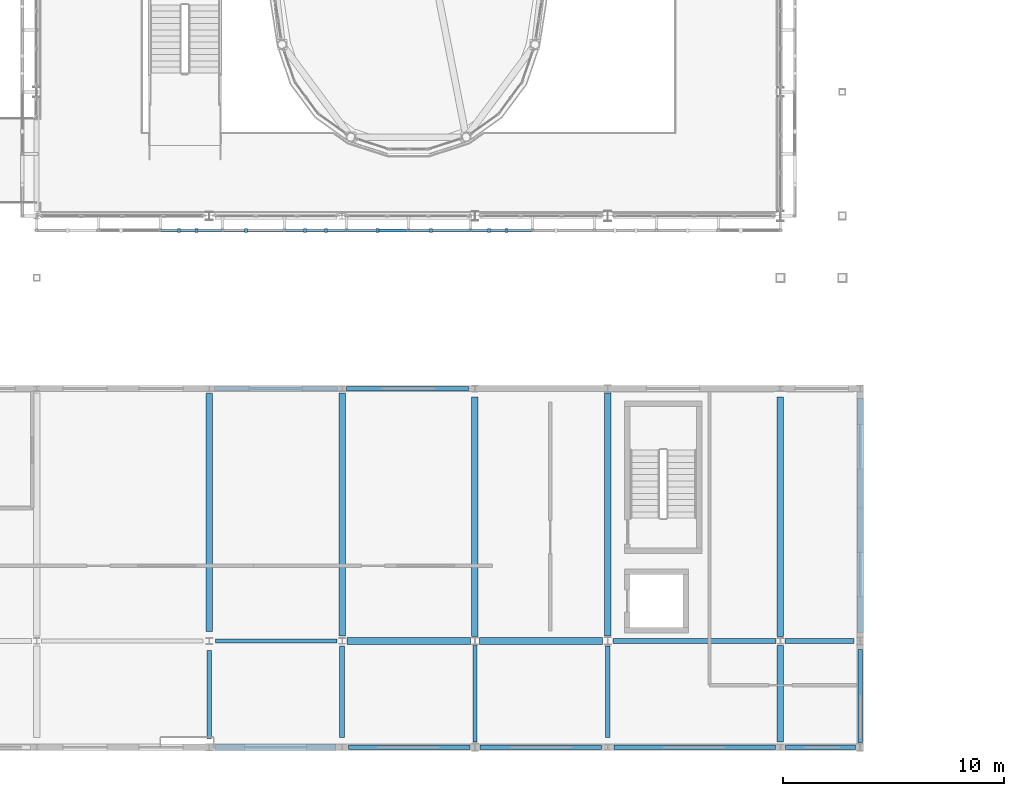
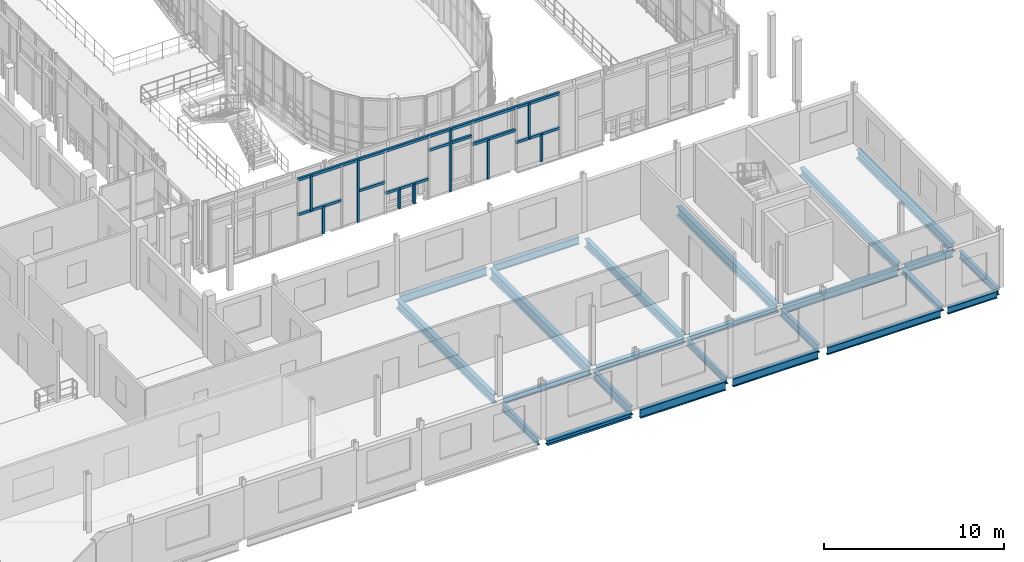
# One storey, part 31 of 121: 24 beams, 21 members.
"""IFC4 building model written with IfcOpenShell, lengths in metres."""

from ifc_helpers import new_model, si_unit, direction, frame, origin, origin_2d, place, context, subcontext, project, spatial, rectangle, i_section, extrude, material, material_profile, profile_set, type_object, element, save


model = new_model("IFC4")

# Units and contexts
model_context = context("Model", 3, precision=1e-05, world=origin(), true_north=direction((0.0, 1.0)))
body_context = subcontext(model_context, "Body", "Model", "MODEL_VIEW")
ifc_project = project(units=[si_unit("LENGTHUNIT", "METRE"), si_unit("AREAUNIT", "SQUARE_METRE"), si_unit("VOLUMEUNIT", "CUBIC_METRE"), si_unit("PLANEANGLEUNIT", "RADIAN"), si_unit("MASSUNIT", "GRAM", prefix="KILO")], contexts=[model_context])

# Site, building, storey
site_placement = place(None, origin())
site = spatial("IfcSite", under=ifc_project, at=site_placement, CompositionType="ELEMENT")
building_placement = place(site_placement, origin())
building = spatial("IfcBuilding", under=site, at=building_placement, Name="Vinh Khe Railworks Police Headquarters", CompositionType="ELEMENT")
storey_placement = place(building_placement, frame((0.0, 0.0, 4.800048828125)))
storey = spatial("IfcBuildingStorey", under=building, at=storey_placement, Name="L01", CompositionType="ELEMENT", Elevation=4.800048828125)

# Members
ifc_material_1 = material(Name="Salvaged ironwood timber", Category="wood")
ifc_material_profile_1 = material_profile(ifc_material_1, rectangle(XDim=0.139892578125, YDim=0.179931640625, at=origin_2d()), Name="TIMBER 140x180")
ifc_profile_set_1 = profile_set([ifc_material_profile_1], Name="Salvaged ironwood timber")
member_type = type_object("IfcMemberType", Name="MEM-QUILT-STILE", PredefinedType="CHORD", material=ifc_profile_set_1)
for number, where, z_axis, x_axis, name in (
    (1, (32.0, 24.550048828125, 4.119873046875), (1.0, 0.0, 0.0), (0.0, 1.0, 0.0), "Salvaged Timber Quilt Transom S-L01-02-TOP"),
    (2, (32.0, 24.550048828125, 1.763916015625), (1.0, 0.0, 0.0), (0.0, 1.0, 0.0), "Salvaged Timber Quilt Transom S-L01-02-M1"),
):
    element("IfcMember", number, at=place(storey_placement, frame(where, z_axis=z_axis, x_axis=x_axis)), inside=storey, type_object=member_type, Name=name, PredefinedType="CHORD", context=body_context, shape_type="SweptSolid", body=[
        extrude(rectangle(XDim=0.139892578125, YDim=0.179931640625, at=origin_2d()), origin(), (0.0, 0.0, 1.0), 2.800048828125),
    ])
member_1_placement = place(storey_placement, frame((33.6240234375, 24.550048828125, -0.080078125), z_axis=(0.0, 0.0, 1.0), x_axis=(1.0, 0.0, 0.0)))
element("IfcMember", 3, at=member_1_placement, inside=storey, type_object=member_type, Name="Salvaged Timber Quilt Stile S-L01-02-V1", PredefinedType="POST", context=body_context, shape_type="SweptSolid", body=[
    extrude(rectangle(XDim=0.139892578125, YDim=0.179931640625, at=origin_2d()), origin(), (0.0, 0.0, 1.0), 1.843994140625),
])
member_2_placement = place(storey_placement, frame((32.840087890625, 24.550048828125, 1.763916015625), z_axis=(0.0, 0.0, 1.0), x_axis=(1.0, 0.0, 0.0)))
element("IfcMember", 4, at=member_2_placement, inside=storey, type_object=member_type, Name="Salvaged Timber Quilt Stile S-L01-02-V2", PredefinedType="POST", context=body_context, shape_type="SweptSolid", body=[
    extrude(rectangle(XDim=0.139892578125, YDim=0.179931640625, at=origin_2d()), origin(), (0.0, 0.0, 1.0), 2.35595703125),
])
member_3_placement = place(storey_placement, frame((34.800048828125, 24.550048828125, 4.119873046875), z_axis=(1.0, 0.0, 0.0), x_axis=(0.0, 1.0, 0.0)))
element("IfcMember", 5, at=member_3_placement, inside=storey, type_object=member_type, Name="Salvaged Timber Quilt Transom S-L01-03-TOP", PredefinedType="CHORD", context=body_context, shape_type="SweptSolid", body=[
    extrude(rectangle(XDim=0.139892578125, YDim=0.179931640625, at=origin_2d()), origin(), (0.0, 0.0, 1.0), 2.800048828125),
])
member_4_placement = place(storey_placement, frame((35.864013671875, 24.550048828125, -0.080078125), z_axis=(0.0, 0.0, 1.0), x_axis=(1.0, 0.0, 0.0)))
element("IfcMember", 6, at=member_4_placement, inside=storey, type_object=member_type, Name="Salvaged Timber Quilt Stile S-L01-03-V1", PredefinedType="POST", context=body_context, shape_type="SweptSolid", body=[
    extrude(rectangle(XDim=0.139892578125, YDim=0.179931640625, at=origin_2d()), origin(), (0.0, 0.0, 1.0), 4.199951171875),
])
member_5_placement = place(storey_placement, frame((35.864013671875, 24.550048828125, 2.015869140625), z_axis=(1.0, 0.0, 0.0), x_axis=(0.0, 1.0, 0.0)))
element("IfcMember", 7, at=member_5_placement, inside=storey, type_object=member_type, Name="Salvaged Timber Quilt Transom S-L01-03-M1", PredefinedType="CHORD", context=body_context, shape_type="SweptSolid", body=[
    extrude(rectangle(XDim=0.139892578125, YDim=0.179931640625, at=origin_2d()), origin(), (0.0, 0.0, 1.0), 1.736083984375),
])
for number, where, z_axis, x_axis, name in (
    (8, (37.60009765625, 24.550048828125, 4.119873046875), (1.0, 0.0, 0.0), (0.0, 1.0, 0.0), "Salvaged Timber Quilt Transom S-L01-04-TOP"),
    (9, (37.60009765625, 24.550048828125, 1.260009765625), (1.0, 0.0, 0.0), (0.0, 1.0, 0.0), "Salvaged Timber Quilt Transom S-L01-04-M1"),
):
    element("IfcMember", number, at=place(storey_placement, frame(where, z_axis=z_axis, x_axis=x_axis)), inside=storey, type_object=member_type, Name=name, PredefinedType="CHORD", context=body_context, shape_type="SweptSolid", body=[
        extrude(rectangle(XDim=0.139892578125, YDim=0.179931640625, at=origin_2d()), origin(), (0.0, 0.0, 1.0), 2.7998046875),
    ])
for number, where, z_axis, x_axis, name in (
    (10, (38.52392578125, 24.550048828125, -0.080078125), (0.0, 0.0, 1.0), (1.0, 0.0, 0.0), "Salvaged Timber Quilt Stile S-L01-04-V1"),
    (11, (39.47607421875, 24.550048828125, -0.080078125), (0.0, 0.0, 1.0), (1.0, 0.0, 0.0), "Salvaged Timber Quilt Stile S-L01-04-V2"),
):
    element("IfcMember", number, at=place(storey_placement, frame(where, z_axis=z_axis, x_axis=x_axis)), inside=storey, type_object=member_type, Name=name, PredefinedType="POST", context=body_context, shape_type="SweptSolid", body=[
        extrude(rectangle(XDim=0.139892578125, YDim=0.179931640625, at=origin_2d()), origin(), (0.0, 0.0, 1.0), 1.340087890625),
    ])
for number, where, z_axis, x_axis, name in (
    (12, (40.39990234375, 24.550048828125, 4.119873046875), (1.0, 0.0, 0.0), (0.0, 1.0, 0.0), "Salvaged Timber Quilt Transom S-L01-05-TOP"),
    (13, (40.39990234375, 24.550048828125, 3.19189453125), (1.0, 0.0, 0.0), (0.0, 1.0, 0.0), "Salvaged Timber Quilt Transom S-L01-05-M1"),
):
    element("IfcMember", number, at=place(storey_placement, frame(where, z_axis=z_axis, x_axis=x_axis)), inside=storey, type_object=member_type, Name=name, PredefinedType="CHORD", context=body_context, shape_type="SweptSolid", body=[
        extrude(rectangle(XDim=0.139892578125, YDim=0.179931640625, at=origin_2d()), origin(), (0.0, 0.0, 1.0), 2.800048828125),
    ])
member_6_placement = place(storey_placement, frame((41.800048828125, 24.550048828125, -0.080078125), z_axis=(0.0, 0.0, 1.0), x_axis=(1.0, 0.0, 0.0)))
element("IfcMember", 14, at=member_6_placement, inside=storey, type_object=member_type, Name="Salvaged Timber Quilt Stile S-L01-05-V1", PredefinedType="POST", context=body_context, shape_type="SweptSolid", body=[
    extrude(rectangle(XDim=0.139892578125, YDim=0.179931640625, at=origin_2d()), origin(), (0.0, 0.0, 1.0), 4.199951171875),
])
for number, where, z_axis, x_axis, name in (
    (15, (43.199951171875, 24.550048828125, 4.119873046875), (1.0, 0.0, 0.0), (0.0, 1.0, 0.0), "Salvaged Timber Quilt Transom S-L01-06-TOP"),
    (16, (43.199951171875, 24.550048828125, 2.60400390625), (1.0, 0.0, 0.0), (0.0, 1.0, 0.0), "Salvaged Timber Quilt Transom S-L01-06-M1"),
):
    element("IfcMember", number, at=place(storey_placement, frame(where, z_axis=z_axis, x_axis=x_axis)), inside=storey, type_object=member_type, Name=name, PredefinedType="CHORD", context=body_context, shape_type="SweptSolid", body=[
        extrude(rectangle(XDim=0.139892578125, YDim=0.179931640625, at=origin_2d()), origin(), (0.0, 0.0, 1.0), 2.800048828125),
    ])
member_7_placement = place(storey_placement, frame((44.2080078125, 24.550048828125, -0.080078125), z_axis=(0.0, 0.0, 1.0), x_axis=(1.0, 0.0, 0.0)))
element("IfcMember", 17, at=member_7_placement, inside=storey, type_object=member_type, Name="Salvaged Timber Quilt Stile S-L01-06-V1", PredefinedType="POST", context=body_context, shape_type="SweptSolid", body=[
    extrude(rectangle(XDim=0.139892578125, YDim=0.179931640625, at=origin_2d()), origin(), (0.0, 0.0, 1.0), 2.68408203125),
])
for number, where, z_axis, x_axis, name in (
    (18, (46.0, 24.550048828125, 4.119873046875), (1.0, 0.0, 0.0), (0.0, 1.0, 0.0), "Salvaged Timber Quilt Transom S-L01-07-TOP"),
    (19, (46.0, 24.550048828125, 1.763916015625), (1.0, 0.0, 0.0), (0.0, 1.0, 0.0), "Salvaged Timber Quilt Transom S-L01-07-M1"),
):
    element("IfcMember", number, at=place(storey_placement, frame(where, z_axis=z_axis, x_axis=x_axis)), inside=storey, type_object=member_type, Name=name, PredefinedType="CHORD", context=body_context, shape_type="SweptSolid", body=[
        extrude(rectangle(XDim=0.139892578125, YDim=0.179931640625, at=origin_2d()), origin(), (0.0, 0.0, 1.0), 2.800048828125),
    ])
member_8_placement = place(storey_placement, frame((47.6240234375, 24.550048828125, -0.080078125), z_axis=(0.0, 0.0, 1.0), x_axis=(1.0, 0.0, 0.0)))
element("IfcMember", 20, at=member_8_placement, inside=storey, type_object=member_type, Name="Salvaged Timber Quilt Stile S-L01-07-V1", PredefinedType="POST", context=body_context, shape_type="SweptSolid", body=[
    extrude(rectangle(XDim=0.139892578125, YDim=0.179931640625, at=origin_2d()), origin(), (0.0, 0.0, 1.0), 1.843994140625),
])
member_9_placement = place(storey_placement, frame((46.840087890625, 24.550048828125, 1.763916015625), z_axis=(0.0, 0.0, 1.0), x_axis=(1.0, 0.0, 0.0)))
element("IfcMember", 21, at=member_9_placement, inside=storey, type_object=member_type, Name="Salvaged Timber Quilt Stile S-L01-07-V2", PredefinedType="POST", context=body_context, shape_type="SweptSolid", body=[
    extrude(rectangle(XDim=0.139892578125, YDim=0.179931640625, at=origin_2d()), origin(), (0.0, 0.0, 1.0), 2.35595703125),
])

# Beams
ifc_material_2 = material(Name="Steel S355JR", Category="steel")
ifc_material_profile_2 = material_profile(ifc_material_2, i_section(OverallWidth=0.300048828125, OverallDepth=0.330078125, WebThickness=0.009521484375, FlangeThickness=0.0166015625, FilletRadius=0.027099609375, at=origin_2d()), Name="HEA 340")
ifc_profile_set_2 = profile_set([ifc_material_profile_2], Name="Steel S355JR")
beam_type_1 = type_object("IfcBeamType", Name="Steel Girder HEA 340", PredefinedType="BEAM", material=ifc_profile_set_2)
beam_1_placement = place(storey_placement, frame((34.47998046875, 1.199951171875, -0.405029296875), z_axis=(1.0, 0.0, 0.0), x_axis=(0.0, 1.0, 0.0)))
element("IfcBeam", 22, at=beam_1_placement, inside=storey, type_object=beam_type_1, Name="Girder BM-L01-EW-SB-16-0410", PredefinedType="BEAM", context=body_context, shape_type="SweptSolid", body=[
    extrude(i_section(OverallWidth=0.300048828125, OverallDepth=0.330078125, WebThickness=0.009521484375, FlangeThickness=0.0166015625, FilletRadius=0.027099609375, at=origin_2d()), origin(), (0.0, 0.0, 1.0), 5.43994140625),
])
beam_2_placement = place(storey_placement, frame((46.405029296875, 6.0, -0.405029296875), z_axis=(1.0, 0.0, 0.0), x_axis=(0.0, 1.0, 0.0)))
element("IfcBeam", 23, at=beam_2_placement, inside=storey, type_object=beam_type_1, Name="Girder BM-L01-EW-SB-16-0422", PredefinedType="BEAM", context=body_context, shape_type="SweptSolid", body=[
    extrude(i_section(OverallWidth=0.300048828125, OverallDepth=0.330078125, WebThickness=0.009521484375, FlangeThickness=0.0166015625, FilletRadius=0.027099609375, at=origin_2d()), origin(), (0.0, 0.0, 1.0), 5.56494140625),
])
ifc_material_profile_3 = material_profile(ifc_material_2, i_section(OverallWidth=0.300048828125, OverallDepth=0.35009765625, WebThickness=0.010009765625, FlangeThickness=0.017578125, FilletRadius=0.027099609375, at=origin_2d()), Name="HEA 360")
ifc_profile_set_3 = profile_set([ifc_material_profile_3], Name="Steel S355JR")
beam_type_2 = type_object("IfcBeamType", Name="Steel Girder HEA 360", PredefinedType="BEAM", material=ifc_profile_set_3)
beam_3_placement = place(storey_placement, frame((40.429931640625, 6.0, -0.4150390625), z_axis=(1.0, 0.0, 0.0), x_axis=(0.0, 1.0, 0.0)))
element("IfcBeam", 24, at=beam_3_placement, inside=storey, type_object=beam_type_2, Name="Girder BM-L01-EW-SB-15-0421", PredefinedType="BEAM", context=body_context, shape_type="SweptSolid", body=[
    extrude(i_section(OverallWidth=0.300048828125, OverallDepth=0.35009765625, WebThickness=0.010009765625, FlangeThickness=0.017578125, FilletRadius=0.027099609375, at=origin_2d()), origin(), (0.0, 0.0, 1.0), 5.565185546875),
])
beam_4_placement = place(storey_placement, frame((60.0, 1.429931640625, -0.4150390625), z_axis=(0.0, 1.0, 0.0), x_axis=(-1.0, 0.0, 0.0)))
element("IfcBeam", 25, at=beam_4_placement, inside=storey, type_object=beam_type_2, Name="Girder BM-L01-NS-SB-15-0655", PredefinedType="BEAM", context=body_context, shape_type="SweptSolid", body=[
    extrude(i_section(OverallWidth=0.300048828125, OverallDepth=0.35009765625, WebThickness=0.010009765625, FlangeThickness=0.017578125, FilletRadius=0.027099609375, at=origin_2d()), origin(), (0.0, 0.0, 1.0), 4.364990234375),
])
ifc_material_profile_4 = material_profile(ifc_material_2, i_section(OverallWidth=0.300048828125, OverallDepth=0.590087890625, WebThickness=0.012939453125, FlangeThickness=0.02490234375, FilletRadius=0.027099609375, at=origin_2d()), Name="HEA 600")
ifc_profile_set_4 = profile_set([ifc_material_profile_4], Name="Steel S355JR")
beam_type_3 = type_object("IfcBeamType", Name="Steel Girder HEA 600", PredefinedType="BEAM", material=ifc_profile_set_4)
beam_5_placement = place(storey_placement, frame((34.199951171875, 6.429931640625, -0.53515625), z_axis=(0.0, 1.0, 0.0), x_axis=(-1.0, 0.0, 0.0)))
element("IfcBeam", 26, at=beam_5_placement, inside=storey, type_object=beam_type_3, Name="Girder BM-L01-NS-SB-10-0642", PredefinedType="BEAM", context=body_context, shape_type="SweptSolid", body=[
    extrude(i_section(OverallWidth=0.300048828125, OverallDepth=0.590087890625, WebThickness=0.012939453125, FlangeThickness=0.02490234375, FilletRadius=0.027099609375, at=origin_2d()), origin(), (0.0, 0.0, 1.0), 10.739990234375),
])
beam_6_placement = place(storey_placement, frame((63.60009765625, 6.3798828125, -0.53515625), z_axis=(0.0, 1.0, 0.0), x_axis=(-1.0, 0.0, 0.0)))
element("IfcBeam", 27, at=beam_6_placement, inside=storey, type_object=beam_type_3, Name="Girder BM-L01-NS-SB-10-0666", PredefinedType="BEAM", context=body_context, shape_type="SweptSolid", body=[
    extrude(i_section(OverallWidth=0.300048828125, OverallDepth=0.590087890625, WebThickness=0.012939453125, FlangeThickness=0.02490234375, FilletRadius=0.027099609375, at=origin_2d()), origin(), (0.0, 0.0, 1.0), 10.590087890625),
])
ifc_material_profile_5 = material_profile(ifc_material_2, i_section(OverallWidth=0.300048828125, OverallDepth=0.639892578125, WebThickness=0.013427734375, FlangeThickness=0.02587890625, FilletRadius=0.027099609375, at=origin_2d()), Name="HEA 650")
ifc_profile_set_5 = profile_set([ifc_material_profile_5], Name="Steel S355JR")
beam_type_4 = type_object("IfcBeamType", Name="Steel Girder HEA 650", PredefinedType="BEAM", material=ifc_profile_set_5)
beam_7_placement = place(storey_placement, frame((52.199951171875, 6.22998046875, -0.56005859375), z_axis=(0.0, 1.0, 0.0), x_axis=(-1.0, 0.0, 0.0)))
element("IfcBeam", 28, at=beam_7_placement, inside=storey, type_object=beam_type_4, Name="Girder BM-L01-NS-SB-09-0653", PredefinedType="BEAM", context=body_context, shape_type="SweptSolid", body=[
    extrude(i_section(OverallWidth=0.300048828125, OverallDepth=0.639892578125, WebThickness=0.013427734375, FlangeThickness=0.02587890625, FilletRadius=0.027099609375, at=origin_2d()), origin(), (0.0, 0.0, 1.0), 10.965087890625),
])
ifc_material_profile_6 = material_profile(ifc_material_2, i_section(OverallWidth=0.300048828125, OverallDepth=0.68994140625, WebThickness=0.014404296875, FlangeThickness=0.027099609375, FilletRadius=0.027099609375, at=origin_2d()), Name="HEA 700")
ifc_profile_set_6 = profile_set([ifc_material_profile_6], Name="Steel S355JR")
beam_type_5 = type_object("IfcBeamType", Name="Steel Girder HEA 700", PredefinedType="BEAM", material=ifc_profile_set_6)
beam_8_placement = place(storey_placement, frame((40.199951171875, 6.22998046875, -0.5849609375), z_axis=(0.0, 1.0, 0.0), x_axis=(-1.0, 0.0, 0.0)))
element("IfcBeam", 29, at=beam_8_placement, inside=storey, type_object=beam_type_5, Name="Girder BM-L01-NS-SB-08-0646", PredefinedType="BEAM", context=body_context, shape_type="SweptSolid", body=[
    extrude(i_section(OverallWidth=0.300048828125, OverallDepth=0.68994140625, WebThickness=0.014404296875, FlangeThickness=0.027099609375, FilletRadius=0.027099609375, at=origin_2d()), origin(), (0.0, 0.0, 1.0), 10.965087890625),
])
ifc_material_profile_7 = material_profile(ifc_material_2, i_section(OverallWidth=0.300048828125, OverallDepth=0.5, WebThickness=0.014404296875, FlangeThickness=0.028076171875, FilletRadius=0.027099609375, at=origin_2d()), Name="HEB 500")
ifc_profile_set_7 = profile_set([ifc_material_profile_7], Name="Steel S355JR")
beam_type_6 = type_object("IfcBeamType", Name="Steel Girder HEB 500", PredefinedType="BEAM", material=ifc_profile_set_7)
beam_9_placement = place(storey_placement, frame((60.0, 6.205078125, -0.489990234375), z_axis=(0.0, 1.0, 0.0), x_axis=(-1.0, 0.0, 0.0)))
element("IfcBeam", 30, at=beam_9_placement, inside=storey, type_object=beam_type_6, Name="Girder BM-L01-NS-SB-06-0656", PredefinedType="BEAM", context=body_context, shape_type="SweptSolid", body=[
    extrude(i_section(OverallWidth=0.300048828125, OverallDepth=0.5, WebThickness=0.014404296875, FlangeThickness=0.028076171875, FilletRadius=0.027099609375, at=origin_2d()), origin(), (0.0, 0.0, 1.0), 10.81494140625),
])
ifc_material_profile_8 = material_profile(ifc_material_2, i_section(OverallWidth=0.300048828125, OverallDepth=0.550048828125, WebThickness=0.014892578125, FlangeThickness=0.029052734375, FilletRadius=0.027099609375, at=origin_2d()), Name="HEB 550")
ifc_profile_set_8 = profile_set([ifc_material_profile_8], Name="Steel S355JR")
beam_type_7 = type_object("IfcBeamType", Name="Steel Girder HEB 550", PredefinedType="BEAM", material=ifc_profile_set_8)
beam_10_placement = place(storey_placement, frame((46.199951171875, 6.205078125, -0.51513671875), z_axis=(0.0, 1.0, 0.0), x_axis=(-1.0, 0.0, 0.0)))
element("IfcBeam", 31, at=beam_10_placement, inside=storey, type_object=beam_type_7, Name="Girder BM-L01-NS-SB-05-0649", PredefinedType="BEAM", context=body_context, shape_type="SweptSolid", body=[
    extrude(i_section(OverallWidth=0.300048828125, OverallDepth=0.550048828125, WebThickness=0.014892578125, FlangeThickness=0.029052734375, FilletRadius=0.027099609375, at=origin_2d()), origin(), (0.0, 0.0, 1.0), 10.81494140625),
])
ifc_material_profile_9 = material_profile(ifc_material_2, i_section(OverallWidth=0.18994140625, OverallDepth=0.449951171875, WebThickness=0.009521484375, FlangeThickness=0.0146484375, FilletRadius=0.02099609375, at=origin_2d()), Name="IPE 450")
ifc_profile_set_9 = profile_set([ifc_material_profile_9], Name="Steel S355JR")
beam_type_8 = type_object("IfcBeamType", Name="Steel Girder IPE 450", PredefinedType="BEAM", material=ifc_profile_set_9)
beam_11_placement = place(storey_placement, frame((60.22998046875, 1.199951171875, -0.465087890625), z_axis=(1.0, 0.0, 0.0), x_axis=(0.0, 1.0, 0.0)))
element("IfcBeam", 32, at=beam_11_placement, inside=storey, type_object=beam_type_8, Name="Girder BM-L01-EW-SB-20-0414", PredefinedType="BEAM", context=body_context, shape_type="SweptSolid", body=[
    extrude(i_section(OverallWidth=0.18994140625, OverallDepth=0.449951171875, WebThickness=0.009521484375, FlangeThickness=0.0146484375, FilletRadius=0.02099609375, at=origin_2d()), origin(), (0.0, 0.0, 1.0), 3.1650390625),
])
beam_12_placement = place(storey_placement, frame((34.47998046875, 6.0, -0.465087890625), z_axis=(1.0, 0.0, 0.0), x_axis=(0.0, 1.0, 0.0)))
element("IfcBeam", 33, at=beam_12_placement, inside=storey, type_object=beam_type_8, Name="Girder BM-L01-EW-SB-20-0420", PredefinedType="BEAM", context=body_context, shape_type="SweptSolid", body=[
    extrude(i_section(OverallWidth=0.18994140625, OverallDepth=0.449951171875, WebThickness=0.009521484375, FlangeThickness=0.0146484375, FilletRadius=0.02099609375, at=origin_2d()), origin(), (0.0, 0.0, 1.0), 5.489990234375),
])
beam_13_placement = place(storey_placement, frame((46.199951171875, 1.429931640625, -0.465087890625), z_axis=(0.0, 1.0, 0.0), x_axis=(-1.0, 0.0, 0.0)))
element("IfcBeam", 34, at=beam_13_placement, inside=storey, type_object=beam_type_8, Name="Girder BM-L01-NS-SB-20-0648", PredefinedType="BEAM", context=body_context, shape_type="SweptSolid", body=[
    extrude(i_section(OverallWidth=0.18994140625, OverallDepth=0.449951171875, WebThickness=0.009521484375, FlangeThickness=0.0146484375, FilletRadius=0.02099609375, at=origin_2d()), origin(), (0.0, 0.0, 1.0), 4.364990234375),
])
ifc_material_profile_10 = material_profile(ifc_material_2, i_section(OverallWidth=0.199951171875, OverallDepth=0.5, WebThickness=0.01025390625, FlangeThickness=0.01611328125, FilletRadius=0.02099609375, at=origin_2d()), Name="IPE 500")
ifc_profile_set_10 = profile_set([ifc_material_profile_10], Name="Steel S355JR")
beam_type_9 = type_object("IfcBeamType", Name="Steel Girder IPE 500", PredefinedType="BEAM", material=ifc_profile_set_10)
beam_14_placement = place(storey_placement, frame((52.47998046875, 1.199951171875, -0.489990234375), z_axis=(1.0, 0.0, 0.0), x_axis=(0.0, 1.0, 0.0)))
element("IfcBeam", 35, at=beam_14_placement, inside=storey, type_object=beam_type_9, Name="Girder BM-L01-EW-SB-19-0413", PredefinedType="BEAM", context=body_context, shape_type="SweptSolid", body=[
    extrude(i_section(OverallWidth=0.199951171875, OverallDepth=0.5, WebThickness=0.01025390625, FlangeThickness=0.01611328125, FilletRadius=0.02099609375, at=origin_2d()), origin(), (0.0, 0.0, 1.0), 7.2900390625),
])
beam_15_placement = place(storey_placement, frame((40.405029296875, 17.39990234375, -0.489990234375), z_axis=(1.0, 0.0, 0.0), x_axis=(0.0, 1.0, 0.0)))
element("IfcBeam", 36, at=beam_15_placement, inside=storey, type_object=beam_type_9, Name="Girder BM-L01-EW-SB-19-0431", PredefinedType="BEAM", context=body_context, shape_type="SweptSolid", body=[
    extrude(i_section(OverallWidth=0.199951171875, OverallDepth=0.5, WebThickness=0.01025390625, FlangeThickness=0.01611328125, FilletRadius=0.02099609375, at=origin_2d()), origin(), (0.0, 0.0, 1.0), 5.514892578125),
])
beam_16_placement = place(storey_placement, frame((34.199951171875, 1.580078125, -0.489990234375), z_axis=(0.0, 1.0, 0.0), x_axis=(-1.0, 0.0, 0.0)))
element("IfcBeam", 37, at=beam_16_placement, inside=storey, type_object=beam_type_9, Name="Girder BM-L01-NS-SB-19-0641", PredefinedType="BEAM", context=body_context, shape_type="SweptSolid", body=[
    extrude(i_section(OverallWidth=0.199951171875, OverallDepth=0.5, WebThickness=0.01025390625, FlangeThickness=0.01611328125, FilletRadius=0.02099609375, at=origin_2d()), origin(), (0.0, 0.0, 1.0), 3.989990234375),
])
beam_17_placement = place(storey_placement, frame((63.60009765625, 1.405029296875, -0.489990234375), z_axis=(0.0, 1.0, 0.0), x_axis=(-1.0, 0.0, 0.0)))
element("IfcBeam", 38, at=beam_17_placement, inside=storey, type_object=beam_type_9, Name="Girder BM-L01-NS-SB-19-0665", PredefinedType="BEAM", context=body_context, shape_type="SweptSolid", body=[
    extrude(i_section(OverallWidth=0.199951171875, OverallDepth=0.5, WebThickness=0.01025390625, FlangeThickness=0.01611328125, FilletRadius=0.02099609375, at=origin_2d()), origin(), (0.0, 0.0, 1.0), 4.215087890625),
])
ifc_material_profile_11 = material_profile(ifc_material_2, i_section(OverallWidth=0.2099609375, OverallDepth=0.550048828125, WebThickness=0.010986328125, FlangeThickness=0.01708984375, FilletRadius=0.02392578125, at=origin_2d()), Name="IPE 550")
ifc_profile_set_11 = profile_set([ifc_material_profile_11], Name="Steel S355JR")
beam_type_10 = type_object("IfcBeamType", Name="Steel Girder IPE 550", PredefinedType="BEAM", material=ifc_profile_set_11)
beam_18_placement = place(storey_placement, frame((46.429931640625, 1.199951171875, -0.51513671875), z_axis=(1.0, 0.0, 0.0), x_axis=(0.0, 1.0, 0.0)))
element("IfcBeam", 39, at=beam_18_placement, inside=storey, type_object=beam_type_10, Name="Girder BM-L01-EW-SB-18-0412", PredefinedType="BEAM", context=body_context, shape_type="SweptSolid", body=[
    extrude(i_section(OverallWidth=0.2099609375, OverallDepth=0.550048828125, WebThickness=0.010986328125, FlangeThickness=0.01708984375, FilletRadius=0.02392578125, at=origin_2d()), origin(), (0.0, 0.0, 1.0), 5.489990234375),
])
beam_19_placement = place(storey_placement, frame((60.205078125, 6.0, -0.51513671875), z_axis=(1.0, 0.0, 0.0), x_axis=(0.0, 1.0, 0.0)))
element("IfcBeam", 40, at=beam_19_placement, inside=storey, type_object=beam_type_10, Name="Girder BM-L01-EW-SB-18-0424", PredefinedType="BEAM", context=body_context, shape_type="SweptSolid", body=[
    extrude(i_section(OverallWidth=0.2099609375, OverallDepth=0.550048828125, WebThickness=0.010986328125, FlangeThickness=0.01708984375, FilletRadius=0.02392578125, at=origin_2d()), origin(), (0.0, 0.0, 1.0), 3.114990234375),
])
beam_20_placement = place(storey_placement, frame((34.429931640625, 17.39990234375, -0.51513671875), z_axis=(1.0, 0.0, 0.0), x_axis=(0.0, 1.0, 0.0)))
element("IfcBeam", 41, at=beam_20_placement, inside=storey, type_object=beam_type_10, Name="Girder BM-L01-EW-SB-18-0430", PredefinedType="BEAM", context=body_context, shape_type="SweptSolid", body=[
    extrude(i_section(OverallWidth=0.2099609375, OverallDepth=0.550048828125, WebThickness=0.010986328125, FlangeThickness=0.01708984375, FilletRadius=0.02392578125, at=origin_2d()), origin(), (0.0, 0.0, 1.0), 5.565185546875),
])
beam_21_placement = place(storey_placement, frame((52.199951171875, 1.6298828125, -0.51513671875), z_axis=(0.0, 1.0, 0.0), x_axis=(-1.0, 0.0, 0.0)))
element("IfcBeam", 42, at=beam_21_placement, inside=storey, type_object=beam_type_10, Name="Girder BM-L01-NS-SB-18-0652", PredefinedType="BEAM", context=body_context, shape_type="SweptSolid", body=[
    extrude(i_section(OverallWidth=0.2099609375, OverallDepth=0.550048828125, WebThickness=0.010986328125, FlangeThickness=0.01708984375, FilletRadius=0.02392578125, at=origin_2d()), origin(), (0.0, 0.0, 1.0), 4.14013671875),
])
ifc_material_profile_12 = material_profile(ifc_material_2, i_section(OverallWidth=0.219970703125, OverallDepth=0.60009765625, WebThickness=0.011962890625, FlangeThickness=0.01904296875, FilletRadius=0.02392578125, at=origin_2d()), Name="IPE 600")
ifc_profile_set_12 = profile_set([ifc_material_profile_12], Name="Steel S355JR")
beam_type_11 = type_object("IfcBeamType", Name="Steel Girder IPE 600", PredefinedType="BEAM", material=ifc_profile_set_12)
beam_22_placement = place(storey_placement, frame((40.47998046875, 1.199951171875, -0.5400390625), z_axis=(1.0, 0.0, 0.0), x_axis=(0.0, 1.0, 0.0)))
element("IfcBeam", 43, at=beam_22_placement, inside=storey, type_object=beam_type_11, Name="Girder BM-L01-EW-SB-17-0411", PredefinedType="BEAM", context=body_context, shape_type="SweptSolid", body=[
    extrude(i_section(OverallWidth=0.219970703125, OverallDepth=0.60009765625, WebThickness=0.011962890625, FlangeThickness=0.01904296875, FilletRadius=0.02392578125, at=origin_2d()), origin(), (0.0, 0.0, 1.0), 5.489990234375),
])
beam_23_placement = place(storey_placement, frame((52.429931640625, 6.0, -0.5400390625), z_axis=(1.0, 0.0, 0.0), x_axis=(0.0, 1.0, 0.0)))
element("IfcBeam", 44, at=beam_23_placement, inside=storey, type_object=beam_type_11, Name="Girder BM-L01-EW-SB-17-0423", PredefinedType="BEAM", context=body_context, shape_type="SweptSolid", body=[
    extrude(i_section(OverallWidth=0.219970703125, OverallDepth=0.60009765625, WebThickness=0.011962890625, FlangeThickness=0.01904296875, FilletRadius=0.02392578125, at=origin_2d()), origin(), (0.0, 0.0, 1.0), 7.364990234375),
])
beam_24_placement = place(storey_placement, frame((40.199951171875, 1.6298828125, -0.5400390625), z_axis=(0.0, 1.0, 0.0), x_axis=(-1.0, 0.0, 0.0)))
element("IfcBeam", 45, at=beam_24_placement, inside=storey, type_object=beam_type_11, Name="Girder BM-L01-NS-SB-17-0645", PredefinedType="BEAM", context=body_context, shape_type="SweptSolid", body=[
    extrude(i_section(OverallWidth=0.219970703125, OverallDepth=0.60009765625, WebThickness=0.011962890625, FlangeThickness=0.01904296875, FilletRadius=0.02392578125, at=origin_2d()), origin(), (0.0, 0.0, 1.0), 4.14013671875),
])

save(model, "model.ifc")
